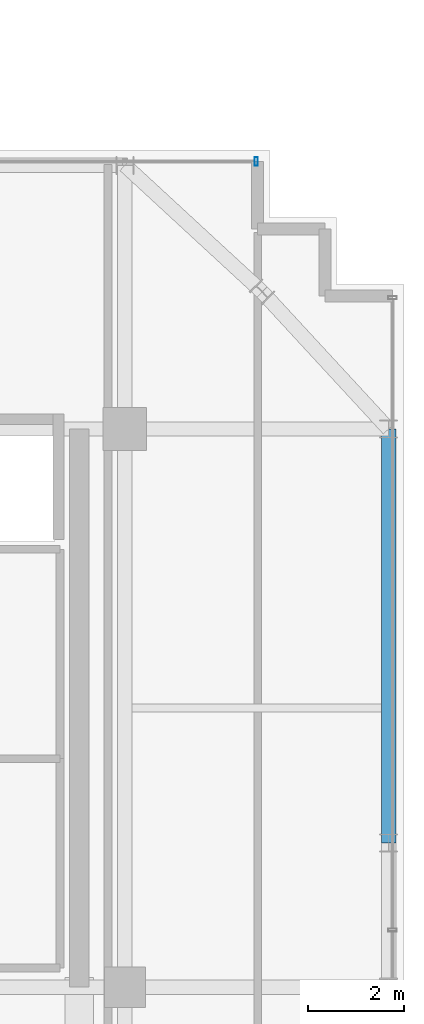
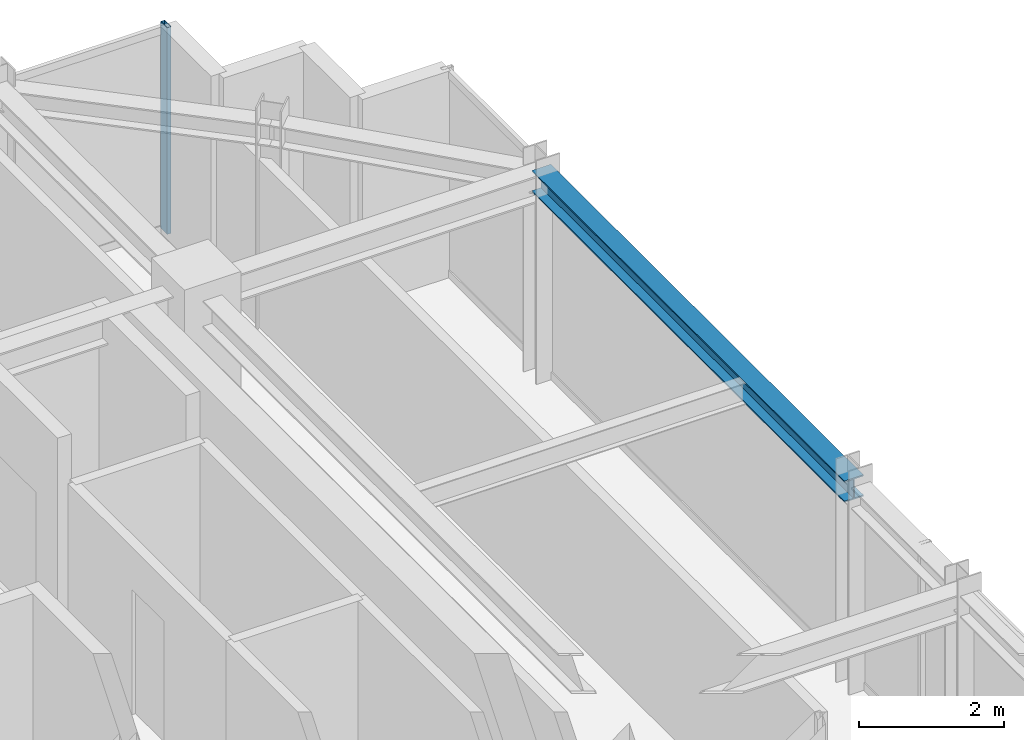
# One storey, part 25 of 34: 1 beam, 1 member, 1 element without a shape of its own.
"""IFC4 building model written with IfcOpenShell, lengths in metres."""

from ifc_helpers import new_model, si_unit, direction, frame, origin, origin_2d, place, context, subcontext, project, spatial, hollow_rectangle, i_section, extrude, source, transform, mapped, material, material_profile, profile_set, type_object, element, aggregate, save


model = new_model("IFC4")

# Units and contexts
model_context = context("Model", 3, precision=1e-05, world=origin(), true_north=direction((0.0, 1.0)))
body_context = subcontext(model_context, "Body", "Model", "MODEL_VIEW")
ifc_project = project(units=[si_unit("LENGTHUNIT", "METRE"), si_unit("AREAUNIT", "SQUARE_METRE"), si_unit("VOLUMEUNIT", "CUBIC_METRE"), si_unit("PLANEANGLEUNIT", "RADIAN"), si_unit("MASSUNIT", "GRAM", prefix="KILO")], contexts=[model_context])

# Site, building, storey
site_placement = place(None, origin())
site = spatial("IfcSite", under=ifc_project, at=site_placement, CompositionType="ELEMENT")
building_placement = place(site_placement, origin())
building = spatial("IfcBuilding", under=site, at=building_placement, Name="Nahalor Promenade Grand Hotel", CompositionType="ELEMENT")
storey_placement = place(building_placement, frame((0.0, 0.0, 334.75)))
storey = spatial("IfcBuildingStorey", under=building, at=storey_placement, Name="L86", CompositionType="ELEMENT", Elevation=334.75)

# Beam
ifc_material_1 = material(Name="Steel S355JR", Category="steel")
ifc_material_profile_1 = material_profile(ifc_material_1, i_section(OverallWidth=0.3, OverallDepth=0.36, WebThickness=0.0125, FlangeThickness=0.0225, at=origin_2d()), Name="HEB 360")
ifc_profile_set_1 = profile_set([ifc_material_profile_1], Name="Steel S355JR")
beam_type = type_object("IfcBeamType", Name="Beam-Spandrel-HEB360", PredefinedType="SPANDREL", material=ifc_profile_set_1)
shared_shape_1 = source(origin(), body_context, "Body", "SweptSolid", [
    extrude(i_section(OverallWidth=0.3, OverallDepth=0.36, WebThickness=0.0125, FlangeThickness=0.0225, at=origin_2d()), origin(), (0.0, 0.0, 1.0), 8.60009765625),
])
beam_placement = place(storey_placement, frame((22.47998046875, 8.39990234375, 3.2900390625), z_axis=(0.0, 1.0, 0.0), x_axis=(-1.0, 0.0, 0.0)))
element("IfcBeam", 1, at=beam_placement, inside=storey, type_object=beam_type, Name="BM-L86-SP-E-4", PredefinedType="SPANDREL", context=body_context, shape_type="MappedRepresentation", body=[
    mapped(shared_shape_1, transform((0.0, 0.0, 0.0), scale=1.0)),
])

# Curtain wall, member
ifc_material_2 = material(Name="Anodised Bronze Aluminium EN AW-6063 T6", Category="aluminium")
curtain_wall_type = type_object("IfcCurtainWallType", Name="CW2 Typical Hotel Flush Bronze Unitised Curtain Wall", PredefinedType="USERDEFINED", material=ifc_material_2)
curtain_wall_placement = place(storey_placement, origin())
curtain_wall = element("IfcCurtainWall", 2, at=curtain_wall_placement, inside=storey, type_object=curtain_wall_type, Name="L86 Curtain Wall CW-L86-N-3", ObjectType="UNITISED_CURTAIN_WALL", PredefinedType="USERDEFINED")
ifc_material_profile_2 = material_profile(ifc_material_2, hollow_rectangle(XDim=0.065, YDim=0.18, WallThickness=0.004, at=origin_2d()), Name="CWM 65x180x4")
ifc_profile_set_2 = profile_set([ifc_material_profile_2], Name="Anodised Bronze Aluminium EN AW-6063 T6")
member_type = type_object("IfcMemberType", Name="CWM2 Typical Bronze Mullion 65x180", PredefinedType="MULLION", material=ifc_profile_set_2)
shared_shape_2 = source(origin(), body_context, "Body", "SweptSolid", [
    extrude(hollow_rectangle(XDim=0.065, YDim=0.18, WallThickness=0.004, at=origin_2d()), origin(), (0.0, 0.0, 1.0), 3.469970703125),
])
member_placement = place(storey_placement, frame((19.7275390625, 22.56005859375, 0.0), z_axis=(0.0, 0.0, 1.0), x_axis=(1.0, 0.0, 0.0)))
member = element("IfcMember", 3, at=member_placement, type_object=member_type, Name="CW-L86-N-3 Mullion 2", PredefinedType="MULLION", context=body_context, shape_type="MappedRepresentation", body=[
    mapped(shared_shape_2, transform((0.0, 0.0, 0.0), scale=1.0)),
])
aggregate(curtain_wall, [member])

save(model, "model.ifc")
